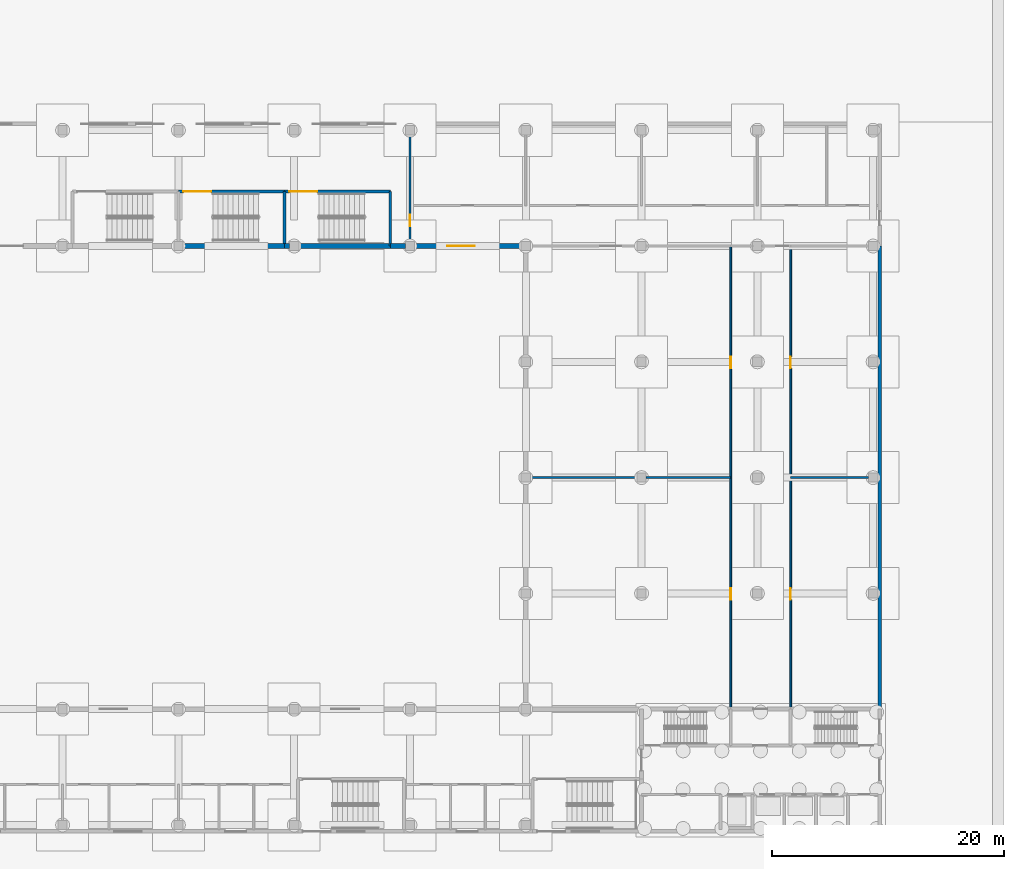
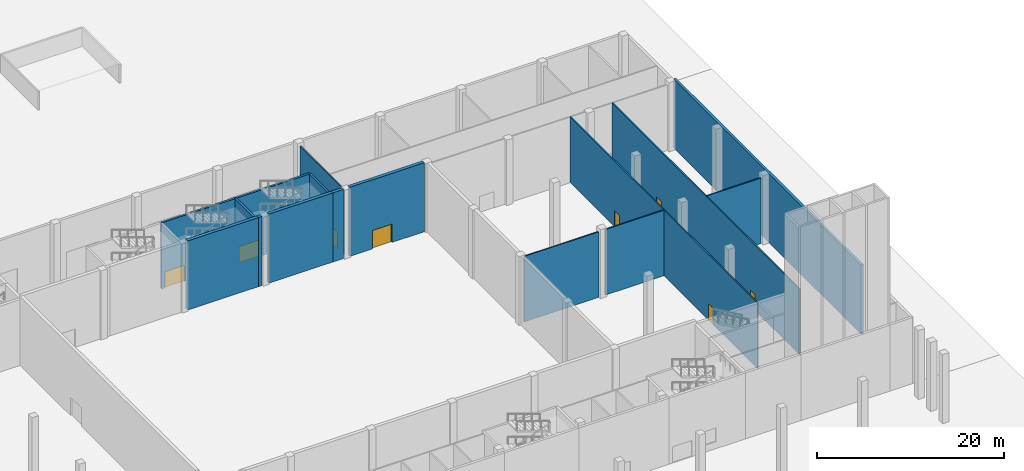
# One storey, part 38 of 63: 17 walls, 8 doors, 8 openings.
"""IFC4 building model written with IfcOpenShell, lengths in metres."""

from ifc_helpers import new_model, si_unit, direction, frame, frame_2d, origin, place, context, subcontext, project, spatial, rectangle, extrude, material, layer, layer_set, type_object, element, fill, save


model = new_model("IFC4")

# Units and contexts
model_context = context("Model", 3, precision=1e-05, world=origin(), true_north=direction((0.0, 1.0)))
body_context = subcontext(model_context, "Body", "Model", "MODEL_VIEW")
ifc_project = project(units=[si_unit("LENGTHUNIT", "METRE"), si_unit("AREAUNIT", "SQUARE_METRE"), si_unit("VOLUMEUNIT", "CUBIC_METRE"), si_unit("PLANEANGLEUNIT", "RADIAN"), si_unit("MASSUNIT", "GRAM", prefix="KILO")], contexts=[model_context])

# Site, building, storey
site_placement = place(None, origin())
site = spatial("IfcSite", under=ifc_project, at=site_placement, CompositionType="ELEMENT")
building_placement = place(site_placement, origin())
building = spatial("IfcBuilding", under=site, at=building_placement, Name="Jabali Bay Hotel Tower and Convention Centre", CompositionType="ELEMENT")
storey_placement = place(building_placement, origin())
storey = spatial("IfcBuildingStorey", under=building, at=storey_placement, Name="L00", CompositionType="ELEMENT", Elevation=0.0)

# Walls
ifc_material_1 = material(Name="Concrete C40", Category="concrete")
ifc_layer_1 = layer(ifc_material_1, 0.300048828125)
ifc_layer_set_1 = layer_set([ifc_layer_1], Name="Concrete C40")
wall_type_1 = type_object("IfcWallType", Name="CC External Wall 300", PredefinedType="SOLIDWALL", material=ifc_layer_set_1)
wall_1_placement = place(storey_placement, frame((251.25, 60.0, 0.0), z_axis=(0.0, 0.0, 1.0), x_axis=(0.0, 1.0, 0.0)))
element("IfcWall", 1, at=wall_1_placement, inside=storey, type_object=wall_type_1, Name="CC wall 268", PredefinedType="SOLIDWALL", context=body_context, shape_type="SweptSolid", body=[
    extrude(rectangle(XDim=40.0, YDim=0.300048828125, at=frame_2d((20.0, 0.0))), origin(), (0.0, 0.0, 1.0), 9.0),
])
ifc_layer_2 = layer(ifc_material_1, 0.39990234375)
ifc_layer_set_2 = layer_set([ifc_layer_2], Name="Concrete C40")
wall_type_2 = type_object("IfcWallType", Name="CC Hall Wall 400", PredefinedType="SHEAR", material=ifc_layer_set_2)
wall_2_placement = place(storey_placement, frame((191.10009765625, 100.0, 0.0), z_axis=(0.0, 0.0, 1.0), x_axis=(1.0, 0.0, 0.0)))
element("IfcWall", 2, at=wall_2_placement, inside=storey, type_object=wall_type_2, Name="CC exhibition hall wall", PredefinedType="SHEAR", context=body_context, shape_type="SweptSolid", body=[
    extrude(rectangle(XDim=8.75, YDim=0.39990234375, at=frame_2d((4.375, 0.0))), origin(), (0.0, 0.0, 1.0), 9.0),
])
wall_3_placement = place(storey_placement, frame((199.85009765625, 100.0, 0.0), z_axis=(0.0, 0.0, 1.0), x_axis=(1.0, 0.0, 0.0)))
element("IfcWall", 3, at=wall_3_placement, inside=storey, type_object=wall_type_2, Name="CC exhibition hall wall", PredefinedType="SHEAR", context=body_context, shape_type="SweptSolid", body=[
    extrude(rectangle(XDim=0.449951171875, YDim=0.39990234375, at=frame_2d((0.22509765625, 0.0))), origin(), (0.0, 0.0, 1.0), 9.0),
])
wall_4_placement = place(storey_placement, frame((201.10009765625, 100.0, 0.0), z_axis=(0.0, 0.0, 1.0), x_axis=(1.0, 0.0, 0.0)))
element("IfcWall", 4, at=wall_4_placement, inside=storey, type_object=wall_type_2, Name="CC exhibition hall wall", PredefinedType="SHEAR", context=body_context, shape_type="SweptSolid", body=[
    extrude(rectangle(XDim=7.89990234375, YDim=0.39990234375, at=frame_2d((3.949951171875, 0.0))), origin(), (0.0, 0.0, 1.0), 9.0),
])
wall_5_placement = place(storey_placement, frame((209.0, 100.0, 0.0), z_axis=(0.0, 0.0, 1.0), x_axis=(1.0, 0.0, 0.0)))
element("IfcWall", 5, at=wall_5_placement, inside=storey, type_object=wall_type_2, Name="CC exhibition hall wall", PredefinedType="SHEAR", context=body_context, shape_type="SweptSolid", body=[
    extrude(rectangle(XDim=1.300048828125, YDim=0.39990234375, at=frame_2d((0.64990234375, 0.0))), origin(), (0.0, 0.0, 1.0), 9.0),
])

# Wall, opening, door
wall_6_placement = place(storey_placement, frame((211.10009765625, 100.0, 0.0), z_axis=(0.0, 0.0, 1.0), x_axis=(1.0, 0.0, 0.0)))
wall_6 = element("IfcWall", 6, at=wall_6_placement, inside=storey, type_object=wall_type_2, Name="CC exhibition hall wall", PredefinedType="SHEAR", context=body_context, shape_type="SweptSolid", body=[
    extrude(rectangle(XDim=9.199951171875, YDim=0.39990234375, at=frame_2d((4.60009765625, 0.0))), origin(), (0.0, 0.0, 1.0), 9.0),
])
opening_1_placement = place(wall_6_placement, frame((2.800048828125, 0.0, 0.0)))
opening_1 = element("IfcOpeningElement", 7, at=opening_1_placement, cuts=wall_6, Name="Opening CC-D072", PredefinedType="OPENING", context=body_context, shape_type="SweptSolid", body=[
    extrude(rectangle(XDim=2.39990234375, YDim=2.39990234375, at=frame_2d((1.199951171875, 1.199951171875))), frame((0.0, 0.21044921875, 0.0), z_axis=(0.0, -1.0, 0.0), x_axis=(1.0, 0.0, 0.0)), (0.0, 0.0, 1.0), 0.4208984375),
])
ifc_material_2 = material(Name="Timber and steel door set", Category="steel")
door_type_1 = type_object("IfcDoorType", Name="CC Hall Double Door 2400x2400", OperationType="NOTDEFINED", PredefinedType="DOOR", material=ifc_material_2)
door_1_placement = place(opening_1_placement, origin())
door_1 = element("IfcDoor", 8, at=door_1_placement, inside=storey, type_object=door_type_1, Name="CC door CC-D072", OperationType="DOUBLE_DOOR_SINGLE_SWING", OverallHeight=2.39990234375, OverallWidth=2.39990234375, PredefinedType="DOOR", context=body_context, shape_type="SweptSolid", body=[
    extrude(rectangle(XDim=2.39990234375, YDim=2.39990234375, at=frame_2d((1.199951171875, 1.199951171875))), frame((0.0, 0.02490234375, 0.0), z_axis=(0.0, -1.0, 0.0), x_axis=(1.0, 0.0, 0.0)), (0.0, 0.0, 1.0), 0.050048828125),
])
fill(opening_1, door_1)

# Walls
ifc_material_3 = material(Name="Blockwork M10", Category="masonry")
ifc_layer_3 = layer(ifc_material_3, 0.14990234375)
ifc_layer_set_3 = layer_set([ifc_layer_3], Name="Blockwork M10")
wall_type_3 = type_object("IfcWallType", Name="CC Partition 150", PredefinedType="PARTITIONING", material=ifc_layer_set_3)
wall_7_placement = place(storey_placement, frame((221.10009765625, 80.0, 0.0), z_axis=(0.0, 0.0, 1.0), x_axis=(1.0, 0.0, 0.0)))
element("IfcWall", 9, at=wall_7_placement, inside=storey, type_object=wall_type_3, Name="CC wall 334", PredefinedType="PARTITIONING", context=body_context, shape_type="SweptSolid", body=[
    extrude(rectangle(XDim=9.199951171875, YDim=0.14990234375, at=frame_2d((4.60009765625, 0.0))), origin(), (0.0, 0.0, 1.0), 8.5400390625),
])
wall_8_placement = place(storey_placement, frame((231.10009765625, 80.0, 0.0), z_axis=(0.0, 0.0, 1.0), x_axis=(1.0, 0.0, 0.0)))
element("IfcWall", 10, at=wall_8_placement, inside=storey, type_object=wall_type_3, Name="CC wall 335", PredefinedType="PARTITIONING", context=body_context, shape_type="SweptSolid", body=[
    extrude(rectangle(XDim=7.2998046875, YDim=0.14990234375, at=frame_2d((3.64990234375, 0.0))), origin(), (0.0, 0.0, 1.0), 8.5400390625),
])

# Wall, opening, door
wall_9_placement = place(storey_placement, frame((238.39990234375, 100.0, 0.0), z_axis=(0.0, 0.0, 1.0), x_axis=(0.0, -1.0, 0.0)))
wall_9 = element("IfcWall", 11, at=wall_9_placement, inside=storey, type_object=wall_type_3, Name="CC wall 338", PredefinedType="PARTITIONING", context=body_context, shape_type="SweptSolid", body=[
    extrude(rectangle(XDim=20.0, YDim=0.14990234375, at=frame_2d((10.0, 0.0))), origin(), (0.0, 0.0, 1.0), 8.5400390625),
])
opening_2_placement = place(wall_9_placement, frame((9.550048828125, 0.0, 0.0)))
opening_2 = element("IfcOpeningElement", 12, at=opening_2_placement, cuts=wall_9, Name="Opening CC-D082", PredefinedType="OPENING", context=body_context, shape_type="SweptSolid", body=[
    extrude(rectangle(XDim=1.0, YDim=2.10009765625, at=frame_2d((0.5, 1.050048828125))), frame((0.0, 0.08544921875, 0.0), z_axis=(0.0, -1.0, 0.0), x_axis=(1.0, 0.0, 0.0)), (0.0, 0.0, 1.0), 0.1708984375),
])
door_type_2 = type_object("IfcDoorType", Name="CC Single Door 1000x2100", OperationType="NOTDEFINED", PredefinedType="DOOR", material=ifc_material_2)
door_2_placement = place(opening_2_placement, origin())
door_2 = element("IfcDoor", 13, at=door_2_placement, inside=storey, type_object=door_type_2, Name="CC door CC-D082", OperationType="SINGLE_SWING_RIGHT", OverallHeight=2.10009765625, OverallWidth=1.0, PredefinedType="DOOR", context=body_context, shape_type="SweptSolid", body=[
    extrude(rectangle(XDim=1.0, YDim=2.10009765625, at=frame_2d((0.5, 1.050048828125))), frame((0.0, 0.02490234375, 0.0), z_axis=(0.0, -1.0, 0.0), x_axis=(1.0, 0.0, 0.0)), (0.0, 0.0, 1.0), 0.050048828125),
])
fill(opening_2, door_2)

wall_10_placement = place(storey_placement, frame((238.39990234375, 80.0, 0.0), z_axis=(0.0, 0.0, 1.0), x_axis=(0.0, -1.0, 0.0)))
wall_10 = element("IfcWall", 14, at=wall_10_placement, inside=storey, type_object=wall_type_3, Name="CC wall 339", PredefinedType="PARTITIONING", context=body_context, shape_type="SweptSolid", body=[
    extrude(rectangle(XDim=20.0, YDim=0.14990234375, at=frame_2d((10.0, 0.0))), origin(), (0.0, 0.0, 1.0), 8.5400390625),
])
opening_3_placement = place(wall_10_placement, frame((9.550048828125, 0.0, 0.0)))
opening_3 = element("IfcOpeningElement", 15, at=opening_3_placement, cuts=wall_10, Name="Opening CC-D083", PredefinedType="OPENING", context=body_context, shape_type="SweptSolid", body=[
    extrude(rectangle(XDim=1.0, YDim=2.10009765625, at=frame_2d((0.5, 1.050048828125))), frame((0.0, 0.08544921875, 0.0), z_axis=(0.0, -1.0, 0.0), x_axis=(1.0, 0.0, 0.0)), (0.0, 0.0, 1.0), 0.1708984375),
])
door_3_placement = place(opening_3_placement, origin())
door_3 = element("IfcDoor", 16, at=door_3_placement, inside=storey, type_object=door_type_2, Name="CC door CC-D083", OperationType="SINGLE_SWING_LEFT", OverallHeight=2.10009765625, OverallWidth=1.0, PredefinedType="DOOR", context=body_context, shape_type="SweptSolid", body=[
    extrude(rectangle(XDim=1.0, YDim=2.10009765625, at=frame_2d((0.5, 1.050048828125))), frame((0.0, 0.02490234375, 0.0), z_axis=(0.0, -1.0, 0.0), x_axis=(1.0, 0.0, 0.0)), (0.0, 0.0, 1.0), 0.050048828125),
])
fill(opening_3, door_3)

# Wall, openings, doors
wall_11_placement = place(storey_placement, frame((243.574951171875, 60.0, 0.0), z_axis=(0.0, 0.0, 1.0), x_axis=(0.0, 1.0, 0.0)))
wall_11 = element("IfcWall", 17, at=wall_11_placement, inside=storey, type_object=wall_type_3, Name="CC wall 342", PredefinedType="PARTITIONING", context=body_context, shape_type="SweptSolid", body=[
    extrude(rectangle(XDim=40.0, YDim=0.14990234375, at=frame_2d((20.0, 0.0))), origin(), (0.0, 0.0, 1.0), 8.5400390625),
])
opening_4_placement = place(wall_11_placement, frame((9.449951171875, 0.0, 0.0)))
opening_4 = element("IfcOpeningElement", 18, at=opening_4_placement, cuts=wall_11, Name="Opening CC-D084", PredefinedType="OPENING", context=body_context, shape_type="SweptSolid", body=[
    extrude(rectangle(XDim=1.0, YDim=2.10009765625, at=frame_2d((0.5, 1.050048828125))), frame((0.0, 0.08544921875, 0.0), z_axis=(0.0, -1.0, 0.0), x_axis=(1.0, 0.0, 0.0)), (0.0, 0.0, 1.0), 0.1708984375),
])
opening_5_placement = place(wall_11_placement, frame((29.449951171875, 0.0, 0.0)))
opening_5 = element("IfcOpeningElement", 19, at=opening_5_placement, cuts=wall_11, Name="Opening CC-D085", PredefinedType="OPENING", context=body_context, shape_type="SweptSolid", body=[
    extrude(rectangle(XDim=1.0, YDim=2.10009765625, at=frame_2d((0.5, 1.050048828125))), frame((0.0, 0.08544921875, 0.0), z_axis=(0.0, -1.0, 0.0), x_axis=(1.0, 0.0, 0.0)), (0.0, 0.0, 1.0), 0.1708984375),
])
door_4_placement = place(opening_4_placement, origin())
door_4 = element("IfcDoor", 20, at=door_4_placement, inside=storey, type_object=door_type_2, Name="CC door CC-D084", OperationType="SINGLE_SWING_RIGHT", OverallHeight=2.10009765625, OverallWidth=1.0, PredefinedType="DOOR", context=body_context, shape_type="SweptSolid", body=[
    extrude(rectangle(XDim=1.0, YDim=2.10009765625, at=frame_2d((0.5, 1.050048828125))), frame((0.0, 0.02490234375, 0.0), z_axis=(0.0, -1.0, 0.0), x_axis=(1.0, 0.0, 0.0)), (0.0, 0.0, 1.0), 0.050048828125),
])
fill(opening_4, door_4)
door_5_placement = place(opening_5_placement, origin())
door_5 = element("IfcDoor", 21, at=door_5_placement, inside=storey, type_object=door_type_2, Name="CC door CC-D085", OperationType="SINGLE_SWING_LEFT", OverallHeight=2.10009765625, OverallWidth=1.0, PredefinedType="DOOR", context=body_context, shape_type="SweptSolid", body=[
    extrude(rectangle(XDim=1.0, YDim=2.10009765625, at=frame_2d((0.5, 1.050048828125))), frame((0.0, 0.02490234375, 0.0), z_axis=(0.0, -1.0, 0.0), x_axis=(1.0, 0.0, 0.0)), (0.0, 0.0, 1.0), 0.050048828125),
])
fill(opening_5, door_5)

# Wall
wall_12_placement = place(storey_placement, frame((243.574951171875, 80.0, 0.0), z_axis=(0.0, 0.0, 1.0), x_axis=(1.0, 0.0, 0.0)))
element("IfcWall", 22, at=wall_12_placement, inside=storey, type_object=wall_type_3, Name="CC wall 343", PredefinedType="PARTITIONING", context=body_context, shape_type="SweptSolid", body=[
    extrude(rectangle(XDim=6.72509765625, YDim=0.14990234375, at=frame_2d((3.362548828125, 0.0))), origin(), (0.0, 0.0, 1.0), 8.5400390625),
])

# Wall, opening, door
wall_13_placement = place(storey_placement, frame((210.699951171875, 109.60009765625, 0.0), z_axis=(0.0, 0.0, 1.0), x_axis=(0.0, -1.0, 0.0)))
wall_13 = element("IfcWall", 23, at=wall_13_placement, inside=storey, type_object=wall_type_3, Name="CC wall 374", PredefinedType="PARTITIONING", context=body_context, shape_type="SweptSolid", body=[
    extrude(rectangle(XDim=9.2001953125, YDim=0.14990234375, at=frame_2d((4.60009765625, 0.0))), origin(), (0.0, 0.0, 1.0), 8.590087890625),
])
opening_6_placement = place(wall_13_placement, frame((6.89990234375, 0.0, 0.0)))
opening_6 = element("IfcOpeningElement", 24, at=opening_6_placement, cuts=wall_13, Name="Opening CC-D074", PredefinedType="OPENING", context=body_context, shape_type="SweptSolid", body=[
    extrude(rectangle(XDim=1.0, YDim=2.10009765625, at=frame_2d((0.5, 1.050048828125))), frame((0.0, 0.08544921875, 0.0), z_axis=(0.0, -1.0, 0.0), x_axis=(1.0, 0.0, 0.0)), (0.0, 0.0, 1.0), 0.1708984375),
])
door_6_placement = place(opening_6_placement, origin())
door_6 = element("IfcDoor", 25, at=door_6_placement, inside=storey, type_object=door_type_2, Name="CC door CC-D074", OperationType="SINGLE_SWING_RIGHT", OverallHeight=2.10009765625, OverallWidth=1.0, PredefinedType="DOOR", context=body_context, shape_type="SweptSolid", body=[
    extrude(rectangle(XDim=1.0, YDim=2.10009765625, at=frame_2d((0.5, 1.050048828125))), frame((0.0, 0.02490234375, 0.0), z_axis=(0.0, -1.0, 0.0), x_axis=(1.0, 0.0, 0.0)), (0.0, 0.0, 1.0), 0.050048828125),
])
fill(opening_6, door_6)

ifc_layer_4 = layer(ifc_material_1, 0.25)
ifc_layer_set_4 = layer_set([ifc_layer_4], Name="Concrete C40")
wall_type_4 = type_object("IfcWallType", Name="CC Shaft Wall 250", PredefinedType="SHEAR", material=ifc_layer_set_4)
wall_14_placement = place(storey_placement, frame((190.699951171875, 104.72509765625, 0.0), z_axis=(0.0, 0.0, 1.0), x_axis=(1.0, 0.0, 0.0)))
wall_14 = element("IfcWall", 26, at=wall_14_placement, inside=storey, type_object=wall_type_4, Name="CC wall 370", PredefinedType="SHEAR", context=body_context, shape_type="SweptSolid", body=[
    extrude(rectangle(XDim=9.150146484375, YDim=0.25, at=frame_2d((4.5751953125, 0.0))), origin(), (0.0, 0.0, 1.0), 8.590087890625),
])
opening_7_placement = place(wall_14_placement, frame((0.425048828125, 0.0, 0.0)))
opening_7 = element("IfcOpeningElement", 27, at=opening_7_placement, cuts=wall_14, Name="Opening CC-D235", PredefinedType="OPENING", context=body_context, shape_type="SweptSolid", body=[
    extrude(rectangle(XDim=2.39990234375, YDim=2.10009765625, at=frame_2d((1.199951171875, 1.050048828125))), frame((0.0, 0.135498046875, 0.0), z_axis=(0.0, -1.0, 0.0), x_axis=(1.0, 0.0, 0.0)), (0.0, 0.0, 1.0), 0.27099609375),
])
door_type_3 = type_object("IfcDoorType", Name="CC Stair Door Pair 2400x2100", OperationType="NOTDEFINED", PredefinedType="DOOR", material=ifc_material_2)
door_7_placement = place(opening_7_placement, origin())
door_7 = element("IfcDoor", 28, at=door_7_placement, inside=storey, type_object=door_type_3, Name="CC door CC-D235", OperationType="DOUBLE_DOOR_SINGLE_SWING", OverallHeight=2.10009765625, OverallWidth=2.39990234375, PredefinedType="DOOR", context=body_context, shape_type="SweptSolid", body=[
    extrude(rectangle(XDim=2.39990234375, YDim=2.10009765625, at=frame_2d((1.199951171875, 1.050048828125))), frame((0.0, 0.02490234375, 0.0), z_axis=(0.0, -1.0, 0.0), x_axis=(1.0, 0.0, 0.0)), (0.0, 0.0, 1.0), 0.050048828125),
])
fill(opening_7, door_7)

# Wall
wall_15_placement = place(storey_placement, frame((199.85009765625, 100.199951171875, 0.0), z_axis=(0.0, 0.0, 1.0), x_axis=(0.0, 1.0, 0.0)))
element("IfcWall", 29, at=wall_15_placement, inside=storey, type_object=wall_type_4, Name="CC wall 371", PredefinedType="SHEAR", context=body_context, shape_type="SweptSolid", body=[
    extrude(rectangle(XDim=4.525146484375, YDim=0.25, at=frame_2d((2.2626953125, 0.0))), origin(), (0.0, 0.0, 1.0), 8.590087890625),
])

# Wall, opening, door
wall_16_placement = place(storey_placement, frame((199.85009765625, 104.72509765625, 0.0), z_axis=(0.0, 0.0, 1.0), x_axis=(1.0, 0.0, 0.0)))
wall_16 = element("IfcWall", 30, at=wall_16_placement, inside=storey, type_object=wall_type_4, Name="CC wall 372", PredefinedType="SHEAR", context=body_context, shape_type="SweptSolid", body=[
    extrude(rectangle(XDim=9.14990234375, YDim=0.25, at=frame_2d((4.574951171875, 0.0))), origin(), (0.0, 0.0, 1.0), 8.590087890625),
])
opening_8_placement = place(wall_16_placement, frame((0.425048828125, 0.0, 0.0)))
opening_8 = element("IfcOpeningElement", 31, at=opening_8_placement, cuts=wall_16, Name="Opening CC-D239", PredefinedType="OPENING", context=body_context, shape_type="SweptSolid", body=[
    extrude(rectangle(XDim=2.39990234375, YDim=2.10009765625, at=frame_2d((1.199951171875, 1.050048828125))), frame((0.0, 0.135498046875, 0.0), z_axis=(0.0, -1.0, 0.0), x_axis=(1.0, 0.0, 0.0)), (0.0, 0.0, 1.0), 0.27099609375),
])
door_8_placement = place(opening_8_placement, origin())
door_8 = element("IfcDoor", 32, at=door_8_placement, inside=storey, type_object=door_type_3, Name="CC door CC-D239", OperationType="DOUBLE_DOOR_SINGLE_SWING", OverallHeight=2.10009765625, OverallWidth=2.39990234375, PredefinedType="DOOR", context=body_context, shape_type="SweptSolid", body=[
    extrude(rectangle(XDim=2.39990234375, YDim=2.10009765625, at=frame_2d((1.199951171875, 1.050048828125))), frame((0.0, 0.02490234375, 0.0), z_axis=(0.0, -1.0, 0.0), x_axis=(1.0, 0.0, 0.0)), (0.0, 0.0, 1.0), 0.050048828125),
])
fill(opening_8, door_8)

# Wall
wall_17_placement = place(storey_placement, frame((209.0, 100.0, 0.0), z_axis=(0.0, 0.0, 1.0), x_axis=(0.0, 1.0, 0.0)))
element("IfcWall", 33, at=wall_17_placement, inside=storey, type_object=wall_type_4, Name="CC wall 373", PredefinedType="SHEAR", context=body_context, shape_type="SweptSolid", body=[
    extrude(rectangle(XDim=4.72509765625, YDim=0.25, at=frame_2d((2.362548828125, 0.0))), origin(), (0.0, 0.0, 1.0), 8.590087890625),
])

save(model, "model.ifc")
